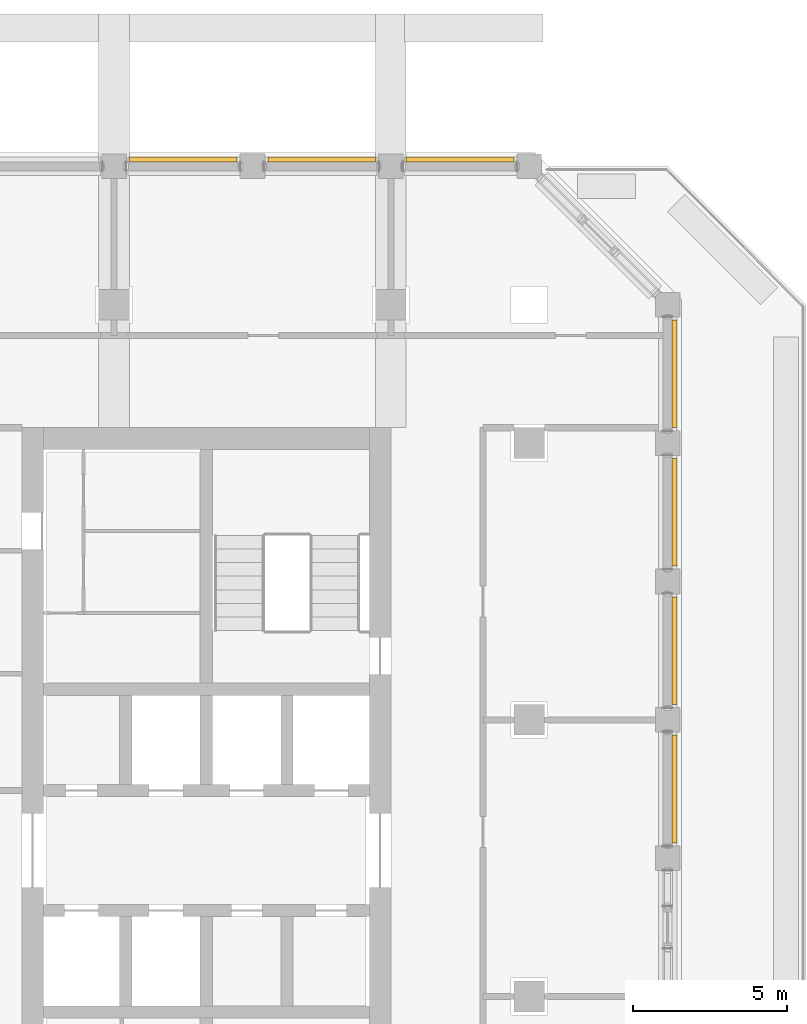
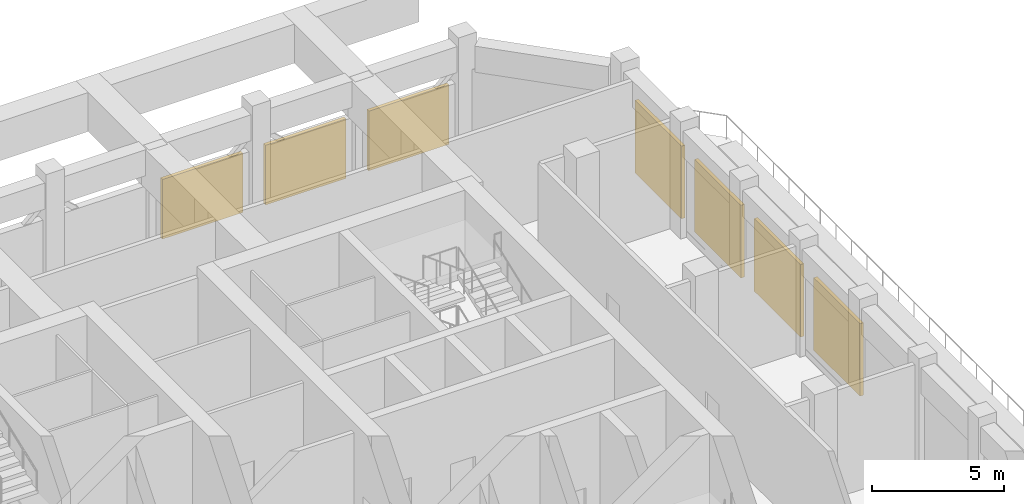
# One storey, part 18 of 19: 7 shading devices.
"""IFC4 building model written with IfcOpenShell, lengths in metres."""

from ifc_helpers import new_model, si_unit, direction, frame, origin, origin_2d, place, context, subcontext, project, spatial, rectangle, extrude, material, layer, layer_set, type_object, element, save


model = new_model("IFC4")

# Units and contexts
model_context = context("Model", 3, precision=1e-05, world=origin(), true_north=direction((0.0, 1.0)))
body_context = subcontext(model_context, "Body", "Model", "MODEL_VIEW")
ifc_project = project(units=[si_unit("LENGTHUNIT", "METRE"), si_unit("AREAUNIT", "SQUARE_METRE"), si_unit("VOLUMEUNIT", "CUBIC_METRE"), si_unit("PLANEANGLEUNIT", "RADIAN"), si_unit("MASSUNIT", "GRAM", prefix="KILO")], contexts=[model_context])

# Site, building, storey
site_placement = place(None, origin())
site = spatial("IfcSite", under=ifc_project, at=site_placement, CompositionType="ELEMENT")
building_placement = place(site_placement, origin())
building = spatial("IfcBuilding", under=site, at=building_placement, Name="Corbel Stack Research Tower", CompositionType="ELEMENT")
storey_placement = place(building_placement, frame((0.0, 0.0, 226.199951171875)))
storey = spatial("IfcBuildingStorey", under=building, at=storey_placement, Name="L51", CompositionType="ELEMENT", Elevation=226.199951171875)

# Shading devices
ifc_material = material(Name="Aluminium louvre", Category="aluminium")
ifc_layer = layer(ifc_material, 0.14990234375)
ifc_layer_set = layer_set([ifc_layer], Name="Aluminium louvre")
shading_device_type = type_object("IfcShadingDeviceType", Name="Plant louvre 150", PredefinedType="USERDEFINED", material=ifc_layer_set)
for number, where, z_axis, x_axis, name in (
    (1, (27.22509765625, 6.75, 0.199951171875), (0.0, 0.0, 1.0), (0.0, 1.0, 0.0), "Plant louvre L51 E06"),
    (2, (27.22509765625, 11.25, 0.199951171875), (0.0, 0.0, 1.0), (0.0, 1.0, 0.0), "Plant louvre L51 E07"),
    (3, (27.22509765625, 15.75, 0.199951171875), (0.0, 0.0, 1.0), (0.0, 1.0, 0.0), "Plant louvre L51 E08"),
    (4, (27.22509765625, 20.25, 0.199951171875), (0.0, 0.0, 1.0), (0.0, 1.0, 0.0), "Plant louvre L51 E09"),
):
    element("IfcShadingDevice", number, at=place(storey_placement, frame(where, z_axis=z_axis, x_axis=x_axis)), inside=storey, type_object=shading_device_type, Name=name, ObjectType="LOUVRE", PredefinedType="USERDEFINED", context=body_context, shape_type="SweptSolid", body=[
        extrude(rectangle(XDim=3.5, YDim=0.14990234375, at=origin_2d()), origin(), (0.0, 0.0, 1.0), 3.35009765625),
    ])
for number, where, z_axis, x_axis, name in (
    (5, (20.25, 27.22509765625, 0.199951171875), (0.0, 0.0, 1.0), (-1.0, 0.0, 0.0), "Plant louvre L51 N01"),
    (6, (15.75, 27.22509765625, 0.199951171875), (0.0, 0.0, 1.0), (-1.0, 0.0, 0.0), "Plant louvre L51 N02"),
    (7, (11.25, 27.22509765625, 0.199951171875), (0.0, 0.0, 1.0), (-1.0, 0.0, 0.0), "Plant louvre L51 N03"),
):
    element("IfcShadingDevice", number, at=place(storey_placement, frame(where, z_axis=z_axis, x_axis=x_axis)), inside=storey, type_object=shading_device_type, Name=name, ObjectType="LOUVRE", PredefinedType="USERDEFINED", context=body_context, shape_type="SweptSolid", body=[
        extrude(rectangle(XDim=3.5, YDim=0.14990234375, at=origin_2d()), origin(), (0.0, 0.0, 1.0), 2.75),
    ])

save(model, "model.ifc")
